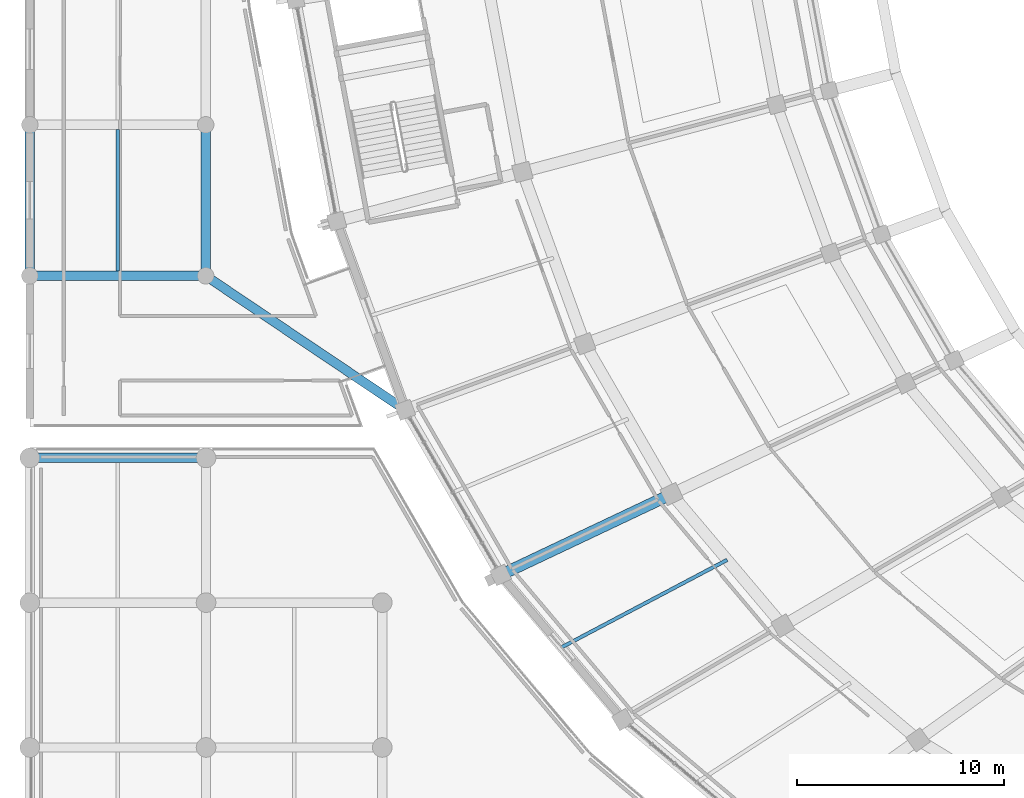
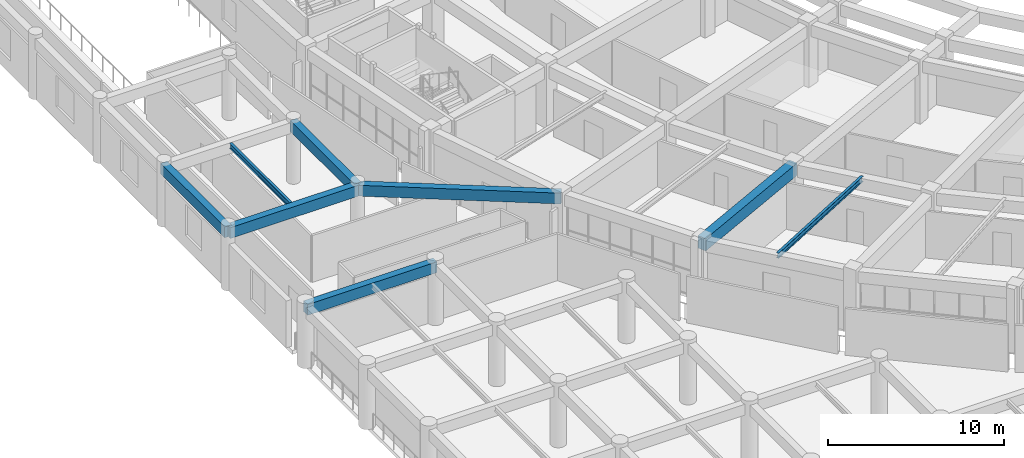
# One storey, part 17 of 145: 8 beams.
"""IFC4 building model written with IfcOpenShell, lengths in metres."""

from ifc_helpers import new_model, si_unit, direction, frame, origin, origin_2d, place, context, subcontext, project, spatial, rectangle, i_section, extrude, material, material_profile, profile_set, type_object, element, save


model = new_model("IFC4")

# Units and contexts
model_context = context("Model", 3, precision=1e-05, world=origin(), true_north=direction((0.0, 1.0)))
body_context = subcontext(model_context, "Body", "Model", "MODEL_VIEW")
ifc_project = project(units=[si_unit("LENGTHUNIT", "METRE"), si_unit("AREAUNIT", "SQUARE_METRE"), si_unit("VOLUMEUNIT", "CUBIC_METRE"), si_unit("PLANEANGLEUNIT", "RADIAN"), si_unit("MASSUNIT", "GRAM", prefix="KILO")], contexts=[model_context])

# Site, building, storey
site_placement = place(None, origin())
site = spatial("IfcSite", under=ifc_project, at=site_placement, CompositionType="ELEMENT")
building_placement = place(site_placement, origin())
building = spatial("IfcBuilding", under=site, at=building_placement, Name="Mphavela Belvedere Stadium", CompositionType="ELEMENT")
storey_placement = place(building_placement, frame((0.0, 0.0, 10.199951171875)))
storey = spatial("IfcBuildingStorey", under=building, at=storey_placement, Name="L02", CompositionType="ELEMENT", Elevation=10.199951171875)

# Beams
ifc_material_1 = material(Name="Steel S355", Category="steel")
ifc_material_profile_1 = material_profile(ifc_material_1, i_section(OverallWidth=0.169921875, OverallDepth=0.360107421875, WebThickness=0.008056640625, FlangeThickness=0.0126953125, at=origin_2d()), Name="IPE 360")
ifc_profile_set_1 = profile_set([ifc_material_profile_1], Name="Steel S355")
beam_type_1 = type_object("IfcBeamType", Name="BM-JOIST-IPE360", PredefinedType="JOIST", material=ifc_profile_set_1)
beam_1_placement = place(storey_placement, frame((33.7119140625, 44.06884765625, 4.070068359375), z_axis=(-0.884250771824, -0.467012390123, 0.0), x_axis=(0.467012390123, -0.884250771824, 0.0)))
element("IfcBeam", 1, at=beam_1_placement, inside=storey, type_object=beam_type_1, Name="Concourse floor joist L02-29", PredefinedType="JOIST", context=body_context, shape_type="SweptSolid", body=[
    extrude(i_section(OverallWidth=0.169921875, OverallDepth=0.360107421875, WebThickness=0.008056640625, FlangeThickness=0.0126953125, at=origin_2d()), origin(), (0.0, 0.0, 1.0), 9.0498046875),
])
beam_2_placement = place(storey_placement, frame((4.25, 58.02490234375, 4.06005859375), z_axis=(0.0, 1.0, 0.0), x_axis=(-1.0, 0.0, 0.0)))
element("IfcBeam", 2, at=beam_2_placement, inside=storey, type_object=beam_type_1, Name="West Planted Eaves Peristyle Colonnade secondary joist L02 1-2", PredefinedType="JOIST", context=body_context, shape_type="SweptSolid", body=[
    extrude(i_section(OverallWidth=0.169921875, OverallDepth=0.360107421875, WebThickness=0.008056640625, FlangeThickness=0.0126953125, at=origin_2d()), origin(), (0.0, 0.0, 1.0), 6.85009765625),
])
ifc_material_2 = material(Name="Concrete C40/50", Category="concrete")
ifc_material_profile_2 = material_profile(ifc_material_2, rectangle(XDim=0.449951171875, YDim=0.75, at=origin_2d()), Name="RC 450x750")
ifc_profile_set_2 = profile_set([ifc_material_profile_2], Name="Concrete C40/50")
beam_type_2 = type_object("IfcBeamType", Name="BM-RC450x750", PredefinedType="BEAM", material=ifc_profile_set_2)
beam_3_placement = place(storey_placement, frame((0.0, 49.0, 3.864990234375), z_axis=(1.0, 0.0, 0.0), x_axis=(0.0, 1.0, 0.0)))
element("IfcBeam", 3, at=beam_3_placement, inside=storey, type_object=beam_type_2, Name="South Axial Triumphal Peristyle Portico entablature beam X L02 1-8", PredefinedType="BEAM", context=body_context, shape_type="SweptSolid", body=[
    extrude(rectangle(XDim=0.449951171875, YDim=0.75, at=origin_2d()), origin(), (0.0, 0.0, 1.0), 8.51904296875),
])
beam_4_placement = place(storey_placement, frame((0.0, 57.800048828125, 3.864990234375), z_axis=(1.0, 0.0, 0.0), x_axis=(0.0, 1.0, 0.0)))
element("IfcBeam", 4, at=beam_4_placement, inside=storey, type_object=beam_type_2, Name="West Planted Eaves Peristyle Colonnade entablature beam X L02 1-2", PredefinedType="BEAM", context=body_context, shape_type="SweptSolid", body=[
    extrude(rectangle(XDim=0.449951171875, YDim=0.75, at=origin_2d()), origin(), (0.0, 0.0, 1.0), 8.5),
])
for number, where, z_axis, x_axis, name in (
    (5, (0.0, 57.800048828125, 3.864990234375), (0.0, 1.0, 0.0), (-1.0, 0.0, 0.0), "West Planted Eaves Peristyle Colonnade entablature beam Y L02 1-2"),
    (6, (8.5, 57.800048828125, 3.864990234375), (0.0, 1.0, 0.0), (-1.0, 0.0, 0.0), "West Planted Eaves Peristyle Colonnade entablature beam Y L02 2-2"),
):
    element("IfcBeam", number, at=place(storey_placement, frame(where, z_axis=z_axis, x_axis=x_axis)), inside=storey, type_object=beam_type_2, Name=name, PredefinedType="BEAM", context=body_context, shape_type="SweptSolid", body=[
        extrude(rectangle(XDim=0.449951171875, YDim=0.75, at=origin_2d()), origin(), (0.0, 0.0, 1.0), 7.300048828125),
    ])
beam_5_placement = place(storey_placement, frame((8.5, 57.800048828125, 3.864990234375), z_axis=(0.82993028647, -0.557867116436, 0.0), x_axis=(0.557867116436, 0.82993028647, 0.0)))
element("IfcBeam", 7, at=beam_5_placement, inside=storey, type_object=beam_type_2, Name="West Planted Eaves Peristyle Colonnade bowl link girder L02-5", PredefinedType="BEAM", context=body_context, shape_type="SweptSolid", body=[
    extrude(rectangle(XDim=0.449951171875, YDim=0.75, at=origin_2d()), origin(), (0.0, 0.0, 1.0), 11.6201171875),
])
ifc_material_3 = material(Name="Concrete C40/50", Category="concrete")
ifc_material_profile_3 = material_profile(ifc_material_3, rectangle(XDim=0.550048828125, YDim=0.85009765625, at=origin_2d()), Name="RC 550x850")
ifc_profile_set_3 = profile_set([ifc_material_profile_3], Name="Concrete C40/50")
beam_type_3 = type_object("IfcBeamType", Name="BM-RC550x850", PredefinedType="BEAM", material=ifc_profile_set_3)
beam_6_placement = place(storey_placement, frame((31.0244140625, 47.251708984375, 3.824951171875), z_axis=(-0.903845427073, -0.427859140325, 0.0), x_axis=(0.427859140325, -0.903845427073, 0.0)))
element("IfcBeam", 8, at=beam_6_placement, inside=storey, type_object=beam_type_3, Name="Radial concourse girder L02 R3R4-29", PredefinedType="BEAM", context=body_context, shape_type="SweptSolid", body=[
    extrude(rectangle(XDim=0.550048828125, YDim=0.85009765625, at=origin_2d()), origin(), (0.0, 0.0, 1.0), 9.146240234375),
])

save(model, "model.ifc")
